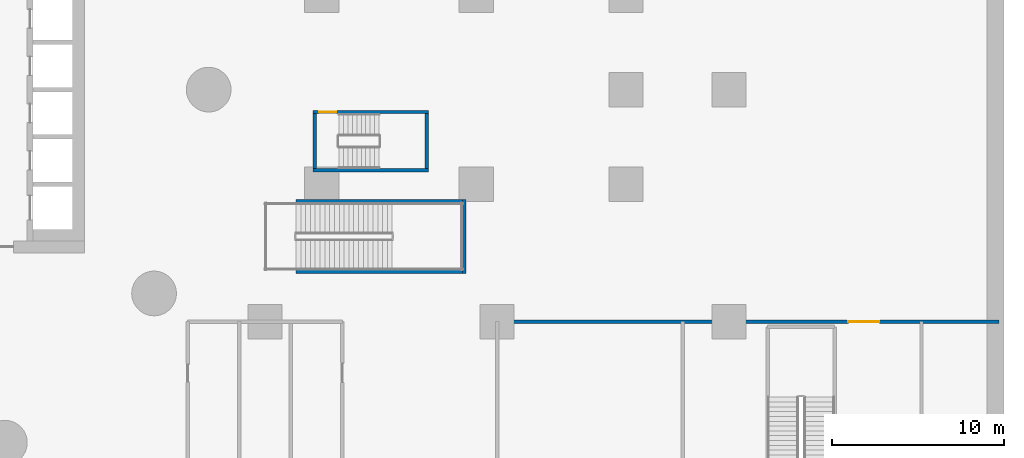
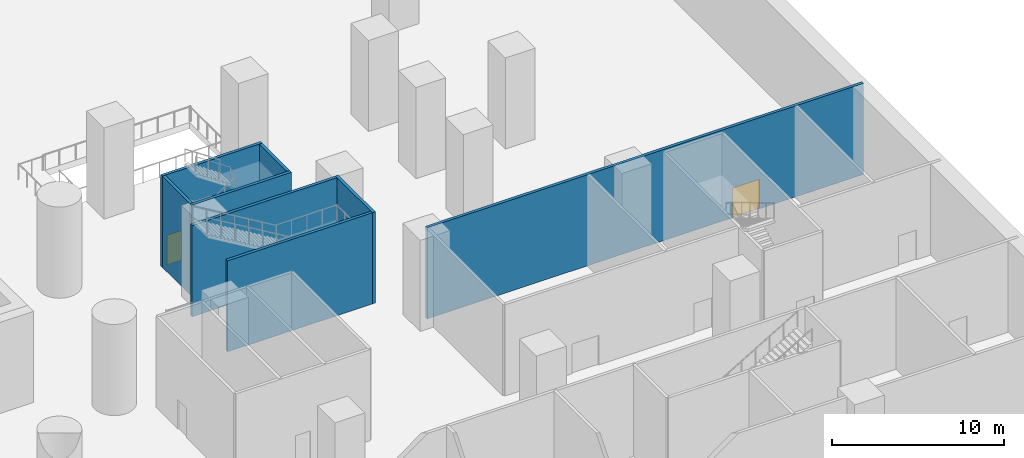
# One storey, part 9 of 37: 8 walls, 2 doors, 2 openings.
"""IFC4 building model written with IfcOpenShell, lengths in metres."""

from ifc_helpers import new_model, si_unit, direction, frame, frame_2d, origin, place, context, subcontext, project, spatial, polyline, rectangle, outline, extrude, material, layer, layer_set, type_object, element, fill, save


model = new_model("IFC4")

# Units and contexts
model_context = context("Model", 3, precision=1e-05, world=origin(), true_north=direction((0.0, 1.0)))
body_context = subcontext(model_context, "Body", "Model", "MODEL_VIEW")
ifc_project = project(units=[si_unit("LENGTHUNIT", "METRE"), si_unit("AREAUNIT", "SQUARE_METRE"), si_unit("VOLUMEUNIT", "CUBIC_METRE"), si_unit("PLANEANGLEUNIT", "RADIAN"), si_unit("MASSUNIT", "GRAM", prefix="KILO")], contexts=[model_context])

# Site, building, storey
site_placement = place(None, origin())
site = spatial("IfcSite", under=ifc_project, at=site_placement, CompositionType="ELEMENT")
building_placement = place(site_placement, origin())
building = spatial("IfcBuilding", under=site, at=building_placement, Name="Tamarind Cross Interchange Tower", CompositionType="ELEMENT")
storey_placement = place(building_placement, frame((0.0, 0.0, -7.0)))
storey = spatial("IfcBuildingStorey", under=building, at=storey_placement, Name="B1", CompositionType="ELEMENT", Elevation=-7.0)

# Wall, opening, door
ifc_material_1 = material(Name="Masonry partition, fire-rated", Category="masonry")
ifc_layer_1 = layer(ifc_material_1, 0.199951171875)
ifc_layer_set_1 = layer_set([ifc_layer_1], Name="Masonry partition, fire-rated")
wall_type_1 = type_object("IfcWallType", Name="Fire partition 200 EI 120", PredefinedType="PARTITIONING", material=ifc_layer_set_1)
wall_1_placement = place(storey_placement, frame((40.5, -13.5, 0.0), z_axis=(0.0, 0.0, 1.0), x_axis=(1.0, 0.0, 0.0)))
wall_1 = element("IfcWall", 1, at=wall_1_placement, inside=storey, type_object=wall_type_1, Name="B1 partition 108", PredefinedType="PARTITIONING", context=body_context, shape_type="SweptSolid", body=[
    extrude(rectangle(XDim=29.198974609375, YDim=0.199951171875, at=frame_2d((14.599609375, 0.0))), origin(), (0.0, 0.0, 1.0), 6.449951171875),
])
opening_1_placement = place(wall_1_placement, frame((20.449951171875, 0.0, 0.0)))
opening_1 = element("IfcOpeningElement", 2, at=opening_1_placement, cuts=wall_1, Name="Opening DB1-21", PredefinedType="OPENING", context=body_context, shape_type="SweptSolid", body=[
    extrude(rectangle(XDim=1.800048828125, YDim=2.10009765625, at=frame_2d((0.89990234375, 1.050048828125))), frame((0.0, 0.10986328125, 0.0), z_axis=(0.0, -1.0, 0.0), x_axis=(1.0, 0.0, 0.0)), (0.0, 0.0, 1.0), 0.219970703125),
])
ifc_material_2 = material(Name="Steel, fire-resisting", Category="steel")
door_type_1 = type_object("IfcDoorType", Name="Podium door 1800 x 2100 FD60", OperationType="SINGLE_SWING_LEFT", PredefinedType="DOOR", material=ifc_material_2)
door_1_placement = place(opening_1_placement, origin())
door_1 = element("IfcDoor", 3, at=door_1_placement, inside=storey, type_object=door_type_1, Name="B1 door Ticket Agency B103", OperationType="SINGLE_SWING_LEFT", OverallHeight=2.10009765625, OverallWidth=1.800048828125, PredefinedType="DOOR", context=body_context, shape_type="SweptSolid", body=[
    extrude(rectangle(XDim=1.800048828125, YDim=2.10009765625, at=frame_2d((0.89990234375, 1.050048828125))), frame((0.0, 0.02490234375, 0.0), z_axis=(0.0, -1.0, 0.0), x_axis=(1.0, 0.0, 0.0)), (0.0, 0.0, 1.0), 0.050048828125),
])
fill(opening_1, door_1)

# Walls
ifc_material_3 = material(Name="Concrete C40", Category="concrete")
ifc_layer_2 = layer(ifc_material_3, 0.199951171875)
ifc_layer_set_2 = layer_set([ifc_layer_2], Name="Concrete C40")
wall_type_2 = type_object("IfcWallType", Name="Stair shaft wall 200", PredefinedType="SOLIDWALL", material=ifc_layer_set_2)
for number, where, z_axis, x_axis, name in (
    (4, (28.800048828125, -10.60009765625, 0.0), (0.0, 0.0, 1.0), (1.0, 0.0, 0.0), "public stair PS-E shaft wall L"),
    (5, (28.800048828125, -6.5, 0.0), (0.0, 0.0, 1.0), (1.0, 0.0, 0.0), "public stair PS-E shaft wall R"),
):
    element("IfcWall", number, at=place(storey_placement, frame(where, z_axis=z_axis, x_axis=x_axis)), inside=storey, type_object=wall_type_2, Name=name, PredefinedType="SOLIDWALL", context=body_context, shape_type="SweptSolid", body=[
        extrude(rectangle(XDim=9.699951171875, YDim=0.199951171875, at=frame_2d((4.85009765625, 0.0))), origin(), (0.0, 0.0, 1.0), 6.449951171875),
    ])
wall_2_placement = place(storey_placement, frame((38.60009765625, -10.699951171875, 0.0), z_axis=(0.0, 0.0, 1.0), x_axis=(0.0, 1.0, 0.0)))
element("IfcWall", 6, at=wall_2_placement, inside=storey, type_object=wall_type_2, Name="public stair PS-E shaft wall F", PredefinedType="SOLIDWALL", context=body_context, shape_type="SweptSolid", body=[
    extrude(rectangle(XDim=4.300048828125, YDim=0.199951171875, at=frame_2d((2.14990234375, 0.0))), origin(), (0.0, 0.0, 1.0), 6.449951171875),
])

# Wall, opening, door
ifc_layer_3 = layer(ifc_material_3, 0.199951171875)
ifc_layer_set_3 = layer_set([ifc_layer_3], Name="Concrete C40")
wall_type_3 = type_object("IfcWallType", Name="Stair shaft wall 200 mm Concrete C40", PredefinedType="SHEAR", material=ifc_layer_set_3)
wall_3_placement = place(storey_placement, frame((29.800048828125, -1.300048828125, 0.0), z_axis=(0.0, 0.0, 1.0), x_axis=(1.0, 0.0, 0.0)))
wall_3 = element("IfcWall", 7, at=wall_3_placement, inside=storey, type_object=wall_type_3, Name="Core wall CWL-B1-ST3-H", PredefinedType="SHEAR", context=body_context, shape_type="SweptSolid", body=[
    extrude(rectangle(XDim=6.699951171875, YDim=0.199951171875, at=frame_2d((3.35009765625, 0.0))), origin(), (0.0, 0.0, 1.0), 6.449951171875),
])
opening_2_placement = place(wall_3_placement, frame((0.35009765625, 0.0, 0.0)))
opening_2 = element("IfcOpeningElement", 8, at=opening_2_placement, cuts=wall_3, Name="Opening ST3B1", PredefinedType="OPENING", context=body_context, shape_type="SweptSolid", body=[
    extrude(rectangle(XDim=1.0, YDim=2.10009765625, at=frame_2d((0.5, 1.050048828125))), frame((0.0, 0.10986328125, 0.0), z_axis=(0.0, -1.0, 0.0), x_axis=(1.0, 0.0, 0.0)), (0.0, 0.0, 1.0), 0.219970703125),
])
door_type_2 = type_object("IfcDoorType", Name="Core fire door 1000 x 2100 FD90", OperationType="SINGLE_SWING_LEFT", PredefinedType="DOOR", material=ifc_material_2)
door_2_placement = place(opening_2_placement, origin())
door_2 = element("IfcDoor", 9, at=door_2_placement, inside=storey, type_object=door_type_2, Name="B1 stair door ST3", OperationType="SINGLE_SWING_LEFT", OverallHeight=2.10009765625, OverallWidth=1.0, PredefinedType="DOOR", context=body_context, shape_type="SweptSolid", body=[
    extrude(rectangle(XDim=1.0, YDim=2.10009765625, at=frame_2d((0.5, 1.050048828125))), frame((0.0, 0.02490234375, 0.0), z_axis=(0.0, -1.0, 0.0), x_axis=(1.0, 0.0, 0.0)), (0.0, 0.0, 1.0), 0.050048828125),
])
fill(opening_2, door_2)

# Walls
wall_4_placement = place(storey_placement, frame((29.800048828125, -4.699951171875, 0.0), z_axis=(0.0, 0.0, 1.0), x_axis=(1.0, 0.0, 0.0)))
element("IfcWall", 10, at=wall_4_placement, inside=storey, type_object=wall_type_3, Name="Core wall CWL-B1-ST3-C", PredefinedType="SHEAR", context=body_context, shape_type="SweptSolid", body=[
    extrude(rectangle(XDim=6.699951171875, YDim=0.199951171875, at=frame_2d((3.35009765625, 0.0))), origin(), (0.0, 0.0, 1.0), 6.449951171875),
])
wall_5_placement = place(storey_placement, frame((29.89990234375, -4.60009765625, 0.0), z_axis=(0.0, 0.0, 1.0), x_axis=(0.0, 1.0, 0.0)))
element("IfcWall", 11, at=wall_5_placement, inside=storey, type_object=wall_type_3, Name="Core wall CWL-B1-ST3-CE", PredefinedType="SHEAR", context=body_context, shape_type="SweptSolid", body=[
    extrude(rectangle(XDim=3.2001953125, YDim=0.199951171875, at=frame_2d((1.60009765625, 0.0))), origin(), (0.0, 0.0, 1.0), 6.449951171875),
])
wall_6_placement = place(storey_placement, origin())
element("IfcWall", 12, at=wall_6_placement, inside=storey, type_object=wall_type_3, Name="Core wall CWL-B1-ST3-CF", PredefinedType="SHEAR", context=body_context, shape_type="SweptSolid", body=[
    extrude(outline(polyline([(36.300048828125, -4.60009765625), (36.5, -4.60009765625), (36.5, -1.39990234375), (36.300048828125, -1.39990234375), (36.300048828125, -4.60009765625)])), origin(), (0.0, 0.0, 1.0), 6.449951171875),
])

save(model, "model.ifc")
